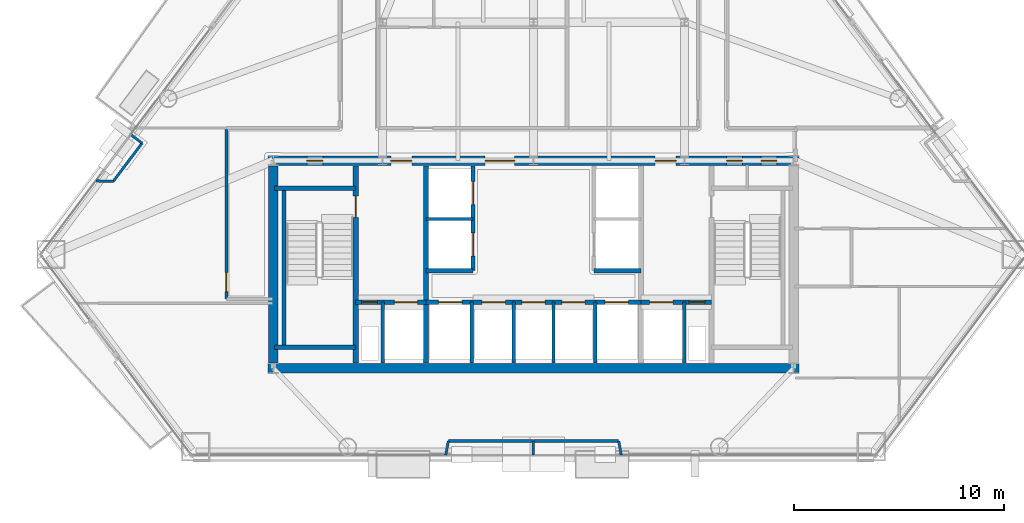
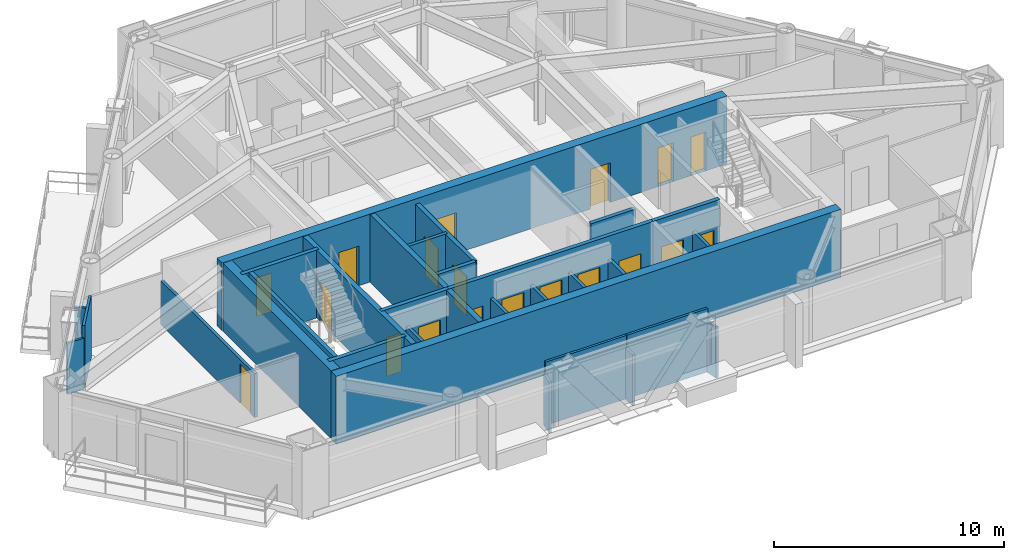
# One storey, part 6 of 10: 30 walls, 19 doors, 19 openings.
"""IFC4 building model written with IfcOpenShell, lengths in metres."""

from ifc_helpers import new_model, si_unit, direction, frame, frame_2d, origin, place, context, subcontext, project, spatial, rectangle, extrude, material, layer, layer_set, type_object, element, fill, save


model = new_model("IFC4")

# Units and contexts
model_context = context("Model", 3, precision=1e-05, world=origin(), true_north=direction((0.0, 1.0)))
body_context = subcontext(model_context, "Body", "Model", "MODEL_VIEW")
ifc_project = project(units=[si_unit("LENGTHUNIT", "METRE"), si_unit("AREAUNIT", "SQUARE_METRE"), si_unit("VOLUMEUNIT", "CUBIC_METRE"), si_unit("PLANEANGLEUNIT", "RADIAN"), si_unit("MASSUNIT", "GRAM", prefix="KILO")], contexts=[model_context])

# Site, building, storey
site_placement = place(None, origin())
site = spatial("IfcSite", under=ifc_project, at=site_placement, CompositionType="ELEMENT")
building_placement = place(site_placement, origin())
building = spatial("IfcBuilding", under=site, at=building_placement, Name="Talgorran Terracotta Tower", CompositionType="ELEMENT")
storey_placement = place(building_placement, frame((0.0, 0.0, 75.60009765625)))
storey = spatial("IfcBuildingStorey", under=building, at=storey_placement, Name="L19", CompositionType="ELEMENT", Elevation=75.60009765625)

# Walls
ifc_material_1 = material(Name="Concrete C50/60", Category="concrete")
ifc_layer_1 = layer(ifc_material_1, 0.199951171875, Name="WT_CORE_200")
ifc_layer_set_1 = layer_set([ifc_layer_1], Name="Concrete C50/60")
wall_type_1 = type_object("IfcWallType", Name="WT_CORE_200", PredefinedType="SOLIDWALL", material=ifc_layer_set_1)
for number, where, z_axis, x_axis, name in (
    (1, (-12.35009765625, -5.52001953125, 0.0), (0.0, 0.0, 1.0), (1.0, 0.0, 0.0), "WL-L19-CW-ST1-N"),
    (2, (-12.35009765625, -13.10009765625, 0.0), (0.0, 0.0, 1.0), (1.0, 0.0, 0.0), "WL-L19-CW-ST1-S"),
):
    element("IfcWall", number, at=place(storey_placement, frame(where, z_axis=z_axis, x_axis=x_axis)), inside=storey, type_object=wall_type_1, Name=name, PredefinedType="SOLIDWALL", context=body_context, shape_type="SweptSolid", body=[
        extrude(rectangle(XDim=3.8701171875, YDim=0.199951171875, at=frame_2d((1.93505859375, 0.0))), origin(), (0.0, 0.0, 1.0), 3.599853515625),
    ])
wall_1_placement = place(storey_placement, frame((-11.89990234375, -13.10009765625, 0.0), z_axis=(0.0, 0.0, 1.0), x_axis=(0.0, 1.0, 0.0)))
element("IfcWall", 3, at=wall_1_placement, inside=storey, type_object=wall_type_1, Name="WL-L19-CW-ST1-W", PredefinedType="SOLIDWALL", context=body_context, shape_type="SweptSolid", body=[
    extrude(rectangle(XDim=7.580078125, YDim=0.199951171875, at=frame_2d((3.7900390625, 0.0))), origin(), (0.0, 0.0, 1.0), 3.599853515625),
])

# Wall, openings, doors
wall_2_placement = place(storey_placement, frame((-8.47998046875, -10.949951171875, 0.0), z_axis=(0.0, 0.0, 1.0), x_axis=(1.0, 0.0, 0.0)))
wall_2 = element("IfcWall", 4, at=wall_2_placement, inside=storey, type_object=wall_type_1, Name="WL-L19-CW-H-SBW", PredefinedType="SOLIDWALL", context=body_context, shape_type="SweptSolid", body=[
    extrude(rectangle(XDim=3.35986328125, YDim=0.199951171875, at=frame_2d((1.679931640625, 0.0))), origin(), (0.0, 0.0, 1.0), 3.599853515625),
])
opening_1_placement = place(wall_2_placement, frame((0.280029296875, 0.0, 0.0)))
opening_1 = element("IfcOpeningElement", 5, at=opening_1_placement, cuts=wall_2, Name="Opening DR-RSW", PredefinedType="OPENING", context=body_context, shape_type="SweptSolid", body=[
    extrude(rectangle(XDim=0.756, YDim=2.054048828125, at=frame_2d((0.375, 1.027099609375))), frame((0.0, 0.10986328125, 0.0), z_axis=(0.0, -1.0, 0.0), x_axis=(1.0, 0.0, 0.0)), (0.0, 0.0, 1.0), 0.219970703125),
])
opening_2_placement = place(wall_2_placement, frame((1.85009765625, 0.0, 0.0)))
opening_2 = element("IfcOpeningElement", 6, at=opening_2_placement, cuts=wall_2, Name="Opening LD-FFL1", PredefinedType="OPENING", context=body_context, shape_type="SweptSolid", body=[
    extrude(rectangle(XDim=1.10609765625, YDim=2.10409765625, at=frame_2d((0.550048828125, 1.052001953125))), frame((0.0, 0.10986328125, 0.0), z_axis=(0.0, -1.0, 0.0), x_axis=(1.0, 0.0, 0.0)), (0.0, 0.0, 1.0), 0.219970703125),
])
ifc_material_2 = material(Name="Brushed Stainless Steel Grade 304", Category="steel")
door_type_1 = type_object("IfcDoorType", Name="DT_LIFT_LD1100", OperationType="DOUBLE_DOOR_SLIDING", PredefinedType="DOOR", material=ifc_material_2)
door_1_placement = place(opening_2_placement, origin())
door_1 = element("IfcDoor", 7, at=door_1_placement, inside=storey, type_object=door_type_1, Name="L19 Lift Landing Door LD-FFL1", OperationType="DOUBLE_DOOR_SLIDING", OverallHeight=2.10009765625, OverallWidth=1.10009765625, PredefinedType="DOOR", context=body_context, shape_type="SweptSolid", body=[
    extrude(rectangle(XDim=1.10009765625, YDim=2.10009765625, at=frame_2d((0.550048828125, 1.050048828125))), frame((0.0, 0.02490234375, 0.0), z_axis=(0.0, -1.0, 0.0), x_axis=(1.0, 0.0, 0.0)), (0.0, 0.0, 1.0), 0.050048828125),
])
fill(opening_2, door_1)
ifc_material_3 = material(Name="Fire-Rated Pressed Steel", Category="steel")
door_type_2 = type_object("IfcDoorType", Name="DT_RISER_750", OperationType="NOTDEFINED", PredefinedType="DOOR", material=ifc_material_3)
door_2_placement = place(opening_1_placement, origin())
door_2 = element("IfcDoor", 8, at=door_2_placement, inside=storey, type_object=door_type_2, Name="DR-RSW", OperationType="SINGLE_SWING_LEFT", OverallHeight=2.050048828125, OverallWidth=0.75, PredefinedType="DOOR", context=body_context, shape_type="SweptSolid", body=[
    extrude(rectangle(XDim=0.75, YDim=2.050048828125, at=frame_2d((0.375, 1.02490234375))), frame((0.0, 0.02490234375, 0.0), z_axis=(0.0, -1.0, 0.0), x_axis=(1.0, 0.0, 0.0)), (0.0, 0.0, 1.0), 0.050048828125),
])
fill(opening_1, door_2)

wall_3_placement = place(storey_placement, frame((-5.1201171875, -10.949951171875, 0.0), z_axis=(0.0, 0.0, 1.0), x_axis=(1.0, 0.0, 0.0)))
wall_3 = element("IfcWall", 9, at=wall_3_placement, inside=storey, type_object=wall_type_1, Name="WL-L19-CW-H-SBC", PredefinedType="SOLIDWALL", context=body_context, shape_type="SweptSolid", body=[
    extrude(rectangle(XDim=10.240234375, YDim=0.199951171875, at=frame_2d((5.1201171875, 0.0))), origin(), (0.0, 0.0, 1.0), 3.599853515625),
])
opening_3_placement = place(wall_3_placement, frame((0.60009765625, 0.0, 0.0)))
opening_3 = element("IfcOpeningElement", 10, at=opening_3_placement, cuts=wall_3, Name="Opening LD-OB1", PredefinedType="OPENING", context=body_context, shape_type="SweptSolid", body=[
    extrude(rectangle(XDim=1.10609765625, YDim=2.10409765625, at=frame_2d((0.550048828125, 1.052001953125))), frame((0.0, 0.10986328125, 0.0), z_axis=(0.0, -1.0, 0.0), x_axis=(1.0, 0.0, 0.0)), (0.0, 0.0, 1.0), 0.219970703125),
])
opening_4_placement = place(wall_3_placement, frame((2.669921875, 0.0, 0.0)))
opening_4 = element("IfcOpeningElement", 11, at=opening_4_placement, cuts=wall_3, Name="Opening LD-PLH1", PredefinedType="OPENING", context=body_context, shape_type="SweptSolid", body=[
    extrude(rectangle(XDim=1.10609765625, YDim=2.10409765625, at=frame_2d((0.550048828125, 1.052001953125))), frame((0.0, 0.10986328125, 0.0), z_axis=(0.0, -1.0, 0.0), x_axis=(1.0, 0.0, 0.0)), (0.0, 0.0, 1.0), 0.219970703125),
])
opening_5_placement = place(wall_3_placement, frame((4.570068359375, 0.0, 0.0)))
opening_5 = element("IfcOpeningElement", 12, at=opening_5_placement, cuts=wall_3, Name="Opening LD-PLH2", PredefinedType="OPENING", context=body_context, shape_type="SweptSolid", body=[
    extrude(rectangle(XDim=1.10609765625, YDim=2.10409765625, at=frame_2d((0.550048828125, 1.052001953125))), frame((0.0, 0.10986328125, 0.0), z_axis=(0.0, -1.0, 0.0), x_axis=(1.0, 0.0, 0.0)), (0.0, 0.0, 1.0), 0.219970703125),
])
opening_6_placement = place(wall_3_placement, frame((6.469970703125, 0.0, 0.0)))
opening_6 = element("IfcOpeningElement", 13, at=opening_6_placement, cuts=wall_3, Name="Opening LD-PLH3", PredefinedType="OPENING", context=body_context, shape_type="SweptSolid", body=[
    extrude(rectangle(XDim=1.10609765625, YDim=2.10409765625, at=frame_2d((0.550048828125, 1.052001953125))), frame((0.0, 0.10986328125, 0.0), z_axis=(0.0, -1.0, 0.0), x_axis=(1.0, 0.0, 0.0)), (0.0, 0.0, 1.0), 0.219970703125),
])
opening_7_placement = place(wall_3_placement, frame((8.5400390625, 0.0, 0.0)))
opening_7 = element("IfcOpeningElement", 14, at=opening_7_placement, cuts=wall_3, Name="Opening LD-SVL1", PredefinedType="OPENING", context=body_context, shape_type="SweptSolid", body=[
    extrude(rectangle(XDim=1.10609765625, YDim=2.10409765625, at=frame_2d((0.550048828125, 1.052001953125))), frame((0.0, 0.10986328125, 0.0), z_axis=(0.0, -1.0, 0.0), x_axis=(1.0, 0.0, 0.0)), (0.0, 0.0, 1.0), 0.219970703125),
])
door_3_placement = place(opening_3_placement, origin())
door_3 = element("IfcDoor", 15, at=door_3_placement, inside=storey, type_object=door_type_1, Name="L19 Lift Landing Door LD-OB1", OperationType="DOUBLE_DOOR_SLIDING", OverallHeight=2.10009765625, OverallWidth=1.10009765625, PredefinedType="DOOR", context=body_context, shape_type="SweptSolid", body=[
    extrude(rectangle(XDim=1.10009765625, YDim=2.10009765625, at=frame_2d((0.550048828125, 1.050048828125))), frame((0.0, 0.02490234375, 0.0), z_axis=(0.0, -1.0, 0.0), x_axis=(1.0, 0.0, 0.0)), (0.0, 0.0, 1.0), 0.050048828125),
])
fill(opening_3, door_3)
door_4_placement = place(opening_4_placement, origin())
door_4 = element("IfcDoor", 16, at=door_4_placement, inside=storey, type_object=door_type_1, Name="L19 Lift Landing Door LD-PLH1", OperationType="DOUBLE_DOOR_SLIDING", OverallHeight=2.10009765625, OverallWidth=1.10009765625, PredefinedType="DOOR", context=body_context, shape_type="SweptSolid", body=[
    extrude(rectangle(XDim=1.10009765625, YDim=2.10009765625, at=frame_2d((0.550048828125, 1.050048828125))), frame((0.0, 0.02490234375, 0.0), z_axis=(0.0, -1.0, 0.0), x_axis=(1.0, 0.0, 0.0)), (0.0, 0.0, 1.0), 0.050048828125),
])
fill(opening_4, door_4)
door_5_placement = place(opening_5_placement, origin())
door_5 = element("IfcDoor", 17, at=door_5_placement, inside=storey, type_object=door_type_1, Name="L19 Lift Landing Door LD-PLH2", OperationType="DOUBLE_DOOR_SLIDING", OverallHeight=2.10009765625, OverallWidth=1.10009765625, PredefinedType="DOOR", context=body_context, shape_type="SweptSolid", body=[
    extrude(rectangle(XDim=1.10009765625, YDim=2.10009765625, at=frame_2d((0.550048828125, 1.050048828125))), frame((0.0, 0.02490234375, 0.0), z_axis=(0.0, -1.0, 0.0), x_axis=(1.0, 0.0, 0.0)), (0.0, 0.0, 1.0), 0.050048828125),
])
fill(opening_5, door_5)
door_6_placement = place(opening_6_placement, origin())
door_6 = element("IfcDoor", 18, at=door_6_placement, inside=storey, type_object=door_type_1, Name="L19 Lift Landing Door LD-PLH3", OperationType="DOUBLE_DOOR_SLIDING", OverallHeight=2.10009765625, OverallWidth=1.10009765625, PredefinedType="DOOR", context=body_context, shape_type="SweptSolid", body=[
    extrude(rectangle(XDim=1.10009765625, YDim=2.10009765625, at=frame_2d((0.550048828125, 1.050048828125))), frame((0.0, 0.02490234375, 0.0), z_axis=(0.0, -1.0, 0.0), x_axis=(1.0, 0.0, 0.0)), (0.0, 0.0, 1.0), 0.050048828125),
])
fill(opening_6, door_6)
door_7_placement = place(opening_7_placement, origin())
door_7 = element("IfcDoor", 19, at=door_7_placement, inside=storey, type_object=door_type_1, Name="L19 Lift Landing Door LD-SVL1", OperationType="DOUBLE_DOOR_SLIDING", OverallHeight=2.10009765625, OverallWidth=1.10009765625, PredefinedType="DOOR", context=body_context, shape_type="SweptSolid", body=[
    extrude(rectangle(XDim=1.10009765625, YDim=2.10009765625, at=frame_2d((0.550048828125, 1.050048828125))), frame((0.0, 0.02490234375, 0.0), z_axis=(0.0, -1.0, 0.0), x_axis=(1.0, 0.0, 0.0)), (0.0, 0.0, 1.0), 0.050048828125),
])
fill(opening_7, door_7)

wall_4_placement = place(storey_placement, frame((5.1201171875, -10.949951171875, 0.0), z_axis=(0.0, 0.0, 1.0), x_axis=(1.0, 0.0, 0.0)))
wall_4 = element("IfcWall", 20, at=wall_4_placement, inside=storey, type_object=wall_type_1, Name="WL-L19-CW-H-SBE", PredefinedType="SOLIDWALL", context=body_context, shape_type="SweptSolid", body=[
    extrude(rectangle(XDim=3.35986328125, YDim=0.199951171875, at=frame_2d((1.679931640625, 0.0))), origin(), (0.0, 0.0, 1.0), 3.599853515625),
])
opening_8_placement = place(wall_4_placement, frame((0.419921875, 0.0, 0.0)))
opening_8 = element("IfcOpeningElement", 21, at=opening_8_placement, cuts=wall_4, Name="Opening LD-FFL2", PredefinedType="OPENING", context=body_context, shape_type="SweptSolid", body=[
    extrude(rectangle(XDim=1.10609765625, YDim=2.10409765625, at=frame_2d((0.550048828125, 1.052001953125))), frame((0.0, 0.10986328125, 0.0), z_axis=(0.0, -1.0, 0.0), x_axis=(1.0, 0.0, 0.0)), (0.0, 0.0, 1.0), 0.219970703125),
])
opening_9_placement = place(wall_4_placement, frame((2.300048828125, 0.0, 0.0)))
opening_9 = element("IfcOpeningElement", 22, at=opening_9_placement, cuts=wall_4, Name="Opening DR-RSE", PredefinedType="OPENING", context=body_context, shape_type="SweptSolid", body=[
    extrude(rectangle(XDim=0.756, YDim=2.054048828125, at=frame_2d((0.375, 1.027099609375))), frame((0.0, 0.10986328125, 0.0), z_axis=(0.0, -1.0, 0.0), x_axis=(1.0, 0.0, 0.0)), (0.0, 0.0, 1.0), 0.219970703125),
])
door_8_placement = place(opening_8_placement, origin())
door_8 = element("IfcDoor", 23, at=door_8_placement, inside=storey, type_object=door_type_1, Name="L19 Lift Landing Door LD-FFL2", OperationType="DOUBLE_DOOR_SLIDING", OverallHeight=2.10009765625, OverallWidth=1.10009765625, PredefinedType="DOOR", context=body_context, shape_type="SweptSolid", body=[
    extrude(rectangle(XDim=1.10009765625, YDim=2.10009765625, at=frame_2d((0.550048828125, 1.050048828125))), frame((0.0, 0.02490234375, 0.0), z_axis=(0.0, -1.0, 0.0), x_axis=(1.0, 0.0, 0.0)), (0.0, 0.0, 1.0), 0.050048828125),
])
fill(opening_8, door_8)
door_9_placement = place(opening_9_placement, origin())
door_9 = element("IfcDoor", 24, at=door_9_placement, inside=storey, type_object=door_type_2, Name="DR-RSE", OperationType="SINGLE_SWING_RIGHT", OverallHeight=2.050048828125, OverallWidth=0.75, PredefinedType="DOOR", context=body_context, shape_type="SweptSolid", body=[
    extrude(rectangle(XDim=0.75, YDim=2.050048828125, at=frame_2d((0.375, 1.02490234375))), frame((0.0, 0.02490234375, 0.0), z_axis=(0.0, -1.0, 0.0), x_axis=(1.0, 0.0, 0.0)), (0.0, 0.0, 1.0), 0.050048828125),
])
fill(opening_9, door_9)

wall_5_placement = place(storey_placement, frame((-2.8798828125, -9.449951171875, 0.0), z_axis=(0.0, 0.0, 1.0), x_axis=(0.0, 1.0, 0.0)))
wall_5 = element("IfcWall", 25, at=wall_5_placement, inside=storey, type_object=wall_type_1, Name="WL-L19-CW-V-W3", PredefinedType="SOLIDWALL", context=body_context, shape_type="SweptSolid", body=[
    extrude(rectangle(XDim=5.0, YDim=0.199951171875, at=frame_2d((2.5, 0.0))), origin(), (0.0, 0.0, 1.0), 3.349853515625),
])
opening_10_placement = place(wall_5_placement, frame((0.699951171875, 0.0, 0.0)))
opening_10 = element("IfcOpeningElement", 26, at=opening_10_placement, cuts=wall_5, Name="Opening LD-PLL1", PredefinedType="OPENING", context=body_context, shape_type="SweptSolid", body=[
    extrude(rectangle(XDim=1.10609765625, YDim=2.10409765625, at=frame_2d((0.550048828125, 1.052001953125))), frame((0.0, 0.10986328125, 0.0), z_axis=(0.0, -1.0, 0.0), x_axis=(1.0, 0.0, 0.0)), (0.0, 0.0, 1.0), 0.219970703125),
])
opening_11_placement = place(wall_5_placement, frame((3.14990234375, 0.0, 0.0)))
opening_11 = element("IfcOpeningElement", 27, at=opening_11_placement, cuts=wall_5, Name="Opening LD-PLL2", PredefinedType="OPENING", context=body_context, shape_type="SweptSolid", body=[
    extrude(rectangle(XDim=1.10609765625, YDim=2.10409765625, at=frame_2d((0.550048828125, 1.052001953125))), frame((0.0, 0.10986328125, 0.0), z_axis=(0.0, -1.0, 0.0), x_axis=(1.0, 0.0, 0.0)), (0.0, 0.0, 1.0), 0.219970703125),
])
door_10_placement = place(opening_10_placement, origin())
door_10 = element("IfcDoor", 28, at=door_10_placement, inside=storey, type_object=door_type_1, Name="L19 Lift Landing Door LD-PLL1", OperationType="DOUBLE_DOOR_SLIDING", OverallHeight=2.10009765625, OverallWidth=1.10009765625, PredefinedType="DOOR", context=body_context, shape_type="SweptSolid", body=[
    extrude(rectangle(XDim=1.10009765625, YDim=2.10009765625, at=frame_2d((0.550048828125, 1.050048828125))), frame((0.0, 0.02490234375, 0.0), z_axis=(0.0, -1.0, 0.0), x_axis=(1.0, 0.0, 0.0)), (0.0, 0.0, 1.0), 0.050048828125),
])
fill(opening_10, door_10)
door_11_placement = place(opening_11_placement, origin())
door_11 = element("IfcDoor", 29, at=door_11_placement, inside=storey, type_object=door_type_1, Name="L19 Lift Landing Door LD-PLL2", OperationType="DOUBLE_DOOR_SLIDING", OverallHeight=2.10009765625, OverallWidth=1.10009765625, PredefinedType="DOOR", context=body_context, shape_type="SweptSolid", body=[
    extrude(rectangle(XDim=1.10009765625, YDim=2.10009765625, at=frame_2d((0.550048828125, 1.050048828125))), frame((0.0, 0.02490234375, 0.0), z_axis=(0.0, -1.0, 0.0), x_axis=(1.0, 0.0, 0.0)), (0.0, 0.0, 1.0), 0.050048828125),
])
fill(opening_11, door_11)

# Walls
for number, where, z_axis, x_axis, name in (
    (30, (-5.1201171875, -9.449951171875, 0.0), (0.0, 0.0, 1.0), (1.0, 0.0, 0.0), "WL-L19-CW-H-W4"),
    (31, (2.8798828125, -9.449951171875, 0.0), (0.0, 0.0, 1.0), (1.0, 0.0, 0.0), "WL-L19-CW-H-E4"),
):
    element("IfcWall", number, at=place(storey_placement, frame(where, z_axis=z_axis, x_axis=x_axis)), inside=storey, type_object=wall_type_1, Name=name, PredefinedType="SOLIDWALL", context=body_context, shape_type="SweptSolid", body=[
        extrude(rectangle(XDim=2.240234375, YDim=0.199951171875, at=frame_2d((1.1201171875, 0.0))), origin(), (0.0, 0.0, 1.0), 3.349853515625),
    ])

# Wall, opening, door
ifc_layer_2 = layer(ifc_material_1, 0.25, Name="WT_CORE_250")
ifc_layer_set_2 = layer_set([ifc_layer_2], Name="Concrete C50/60")
wall_type_2 = type_object("IfcWallType", Name="WT_CORE_250", PredefinedType="SHEAR", material=ifc_layer_set_2)
wall_6_placement = place(storey_placement, frame((-8.47998046875, -13.85009765625, 0.0), z_axis=(0.0, 0.0, 1.0), x_axis=(0.0, 1.0, 0.0)))
wall_6 = element("IfcWall", 32, at=wall_6_placement, inside=storey, type_object=wall_type_2, Name="WL-L19-CW-V-W1", PredefinedType="SHEAR", context=body_context, shape_type="SweptSolid", body=[
    extrude(rectangle(XDim=9.400146484375, YDim=0.25, at=frame_2d((4.7001953125, 0.0))), origin(), (0.0, 0.0, 1.0), 3.599853515625),
])
opening_12_placement = place(wall_6_placement, frame((6.949951171875, 0.0, 0.0)))
opening_12 = element("IfcOpeningElement", 33, at=opening_12_placement, cuts=wall_6, Name="Opening DR-ST01", PredefinedType="OPENING", context=body_context, shape_type="SweptSolid", body=[
    extrude(rectangle(XDim=1.006, YDim=2.10409765625, at=frame_2d((0.5, 1.052001953125))), frame((0.0, 0.135009765625, 0.0), z_axis=(0.0, -1.0, 0.0), x_axis=(1.0, 0.0, 0.0)), (0.0, 0.0, 1.0), 0.27001953125),
])
door_type_3 = type_object("IfcDoorType", Name="DT_FIRE_1000", OperationType="NOTDEFINED", PredefinedType="DOOR", material=ifc_material_3)
door_12_placement = place(opening_12_placement, origin())
door_12 = element("IfcDoor", 34, at=door_12_placement, inside=storey, type_object=door_type_3, Name="DR-ST01", OperationType="SINGLE_SWING_LEFT", OverallHeight=2.10009765625, OverallWidth=1.0, PredefinedType="DOOR", context=body_context, shape_type="SweptSolid", body=[
    extrude(rectangle(XDim=1.0, YDim=2.10009765625, at=frame_2d((0.5, 1.050048828125))), frame((0.0, 0.02490234375, 0.0), z_axis=(0.0, -1.0, 0.0), x_axis=(1.0, 0.0, 0.0)), (0.0, 0.0, 1.0), 0.050048828125),
])
fill(opening_12, door_12)

# Walls
wall_7_placement = place(storey_placement, frame((-5.1201171875, -13.85009765625, 0.0), z_axis=(0.0, 0.0, 1.0), x_axis=(0.0, 1.0, 0.0)))
element("IfcWall", 35, at=wall_7_placement, inside=storey, type_object=wall_type_2, Name="WL-L19-CW-V-W2", PredefinedType="SHEAR", context=body_context, shape_type="SweptSolid", body=[
    extrude(rectangle(XDim=9.400146484375, YDim=0.25, at=frame_2d((4.7001953125, 0.0))), origin(), (0.0, 0.0, 1.0), 3.599853515625),
])
ifc_material_4 = material(Name="Concrete C65/80", Category="concrete")
ifc_layer_3 = layer(ifc_material_4, 0.449951171875, Name="WT_CORE_EXT")
ifc_layer_set_3 = layer_set([ifc_layer_3], Name="Concrete C65/80")
wall_type_3 = type_object("IfcWallType", Name="WT_CORE_EXT", PredefinedType="SHEAR", material=ifc_layer_set_3)
wall_8_placement = place(storey_placement, frame((-12.64990234375, -14.10009765625, 0.0), z_axis=(0.0, 0.0, 1.0), x_axis=(1.0, 0.0, 0.0)))
element("IfcWall", 36, at=wall_8_placement, inside=storey, type_object=wall_type_3, Name="WL-L19-CW-OUT-S", PredefinedType="SHEAR", context=body_context, shape_type="SweptSolid", body=[
    extrude(rectangle(XDim=25.2998046875, YDim=0.449951171875, at=frame_2d((12.64990234375, 0.0))), origin(), (0.0, 0.0, 1.0), 3.599853515625),
])

# Wall, openings, doors
wall_9_placement = place(storey_placement, frame((-12.64990234375, -4.199951171875, 0.0), z_axis=(0.0, 0.0, 1.0), x_axis=(1.0, 0.0, 0.0)))
wall_9 = element("IfcWall", 37, at=wall_9_placement, inside=storey, type_object=wall_type_3, Name="WL-L19-CW-OUT-N", PredefinedType="SHEAR", context=body_context, shape_type="SweptSolid", body=[
    extrude(rectangle(XDim=25.2998046875, YDim=0.449951171875, at=frame_2d((12.64990234375, 0.0))), origin(), (0.0, 0.0, 1.0), 3.599853515625),
])
opening_13_placement = place(wall_9_placement, frame((1.85009765625, 0.0, 0.0)))
opening_13 = element("IfcOpeningElement", 38, at=opening_13_placement, cuts=wall_9, Name="Opening DR-CSN1", PredefinedType="OPENING", context=body_context, shape_type="SweptSolid", body=[
    extrude(rectangle(XDim=0.756, YDim=2.054048828125, at=frame_2d((0.375, 1.027099609375))), frame((0.0, 0.23486328125, 0.0), z_axis=(0.0, -1.0, 0.0), x_axis=(1.0, 0.0, 0.0)), (0.0, 0.0, 1.0), 0.469970703125),
])
opening_14_placement = place(wall_9_placement, frame((21.85009765625, 0.0, 0.0)))
opening_14 = element("IfcOpeningElement", 39, at=opening_14_placement, cuts=wall_9, Name="Opening DR-CSN2", PredefinedType="OPENING", context=body_context, shape_type="SweptSolid", body=[
    extrude(rectangle(XDim=0.756, YDim=2.054048828125, at=frame_2d((0.375, 1.027099609375))), frame((0.0, 0.23486328125, 0.0), z_axis=(0.0, -1.0, 0.0), x_axis=(1.0, 0.0, 0.0)), (0.0, 0.0, 1.0), 0.469970703125),
])
opening_15_placement = place(wall_9_placement, frame((23.5, 0.0, 0.0)))
opening_15 = element("IfcOpeningElement", 40, at=opening_15_placement, cuts=wall_9, Name="Opening DR-CSN3", PredefinedType="OPENING", context=body_context, shape_type="SweptSolid", body=[
    extrude(rectangle(XDim=0.756, YDim=2.054048828125, at=frame_2d((0.375, 1.027099609375))), frame((0.0, 0.23486328125, 0.0), z_axis=(0.0, -1.0, 0.0), x_axis=(1.0, 0.0, 0.0)), (0.0, 0.0, 1.0), 0.469970703125),
])
opening_16_placement = place(wall_9_placement, frame((5.85009765625, 0.0, 0.0)))
opening_16 = element("IfcOpeningElement", 41, at=opening_16_placement, cuts=wall_9, Name="Opening DR-FFLW-N", PredefinedType="OPENING", context=body_context, shape_type="SweptSolid", body=[
    extrude(rectangle(XDim=1.006, YDim=2.10409765625, at=frame_2d((0.5, 1.052001953125))), frame((0.0, 0.23486328125, 0.0), z_axis=(0.0, -1.0, 0.0), x_axis=(1.0, 0.0, 0.0)), (0.0, 0.0, 1.0), 0.469970703125),
])
opening_17_placement = place(wall_9_placement, frame((10.35009765625, 0.0, 0.0)))
opening_17 = element("IfcOpeningElement", 42, at=opening_17_placement, cuts=wall_9, Name="Opening DR-PLL-N", PredefinedType="OPENING", context=body_context, shape_type="SweptSolid", body=[
    extrude(rectangle(XDim=1.40590234375, YDim=2.15390234375, at=frame_2d((0.699951171875, 1.076904296875))), frame((0.0, 0.23486328125, 0.0), z_axis=(0.0, -1.0, 0.0), x_axis=(1.0, 0.0, 0.0)), (0.0, 0.0, 1.0), 0.469970703125),
])
opening_18_placement = place(wall_9_placement, frame((18.449951171875, 0.0, 0.0)))
opening_18 = element("IfcOpeningElement", 43, at=opening_18_placement, cuts=wall_9, Name="Opening DR-FFLE-N", PredefinedType="OPENING", context=body_context, shape_type="SweptSolid", body=[
    extrude(rectangle(XDim=1.006, YDim=2.10409765625, at=frame_2d((0.5, 1.052001953125))), frame((0.0, 0.23486328125, 0.0), z_axis=(0.0, -1.0, 0.0), x_axis=(1.0, 0.0, 0.0)), (0.0, 0.0, 1.0), 0.469970703125),
])
ifc_material_5 = material(Name="Acoustic Glazed Timber", Category="wood")
door_type_4 = type_object("IfcDoorType", Name="DT_DOUBLE_1400", OperationType="DOUBLE_DOOR_SINGLE_SWING", PredefinedType="DOOR", material=ifc_material_5)
door_13_placement = place(opening_17_placement, origin())
door_13 = element("IfcDoor", 44, at=door_13_placement, inside=storey, type_object=door_type_4, Name="DR-PLL-N", OperationType="DOUBLE_DOOR_SINGLE_SWING", OverallHeight=2.14990234375, OverallWidth=1.39990234375, PredefinedType="DOOR", context=body_context, shape_type="SweptSolid", body=[
    extrude(rectangle(XDim=1.39990234375, YDim=2.14990234375, at=frame_2d((0.699951171875, 1.074951171875))), frame((0.0, 0.02490234375, 0.0), z_axis=(0.0, -1.0, 0.0), x_axis=(1.0, 0.0, 0.0)), (0.0, 0.0, 1.0), 0.050048828125),
])
fill(opening_17, door_13)
door_14_placement = place(opening_16_placement, origin())
door_14 = element("IfcDoor", 45, at=door_14_placement, inside=storey, type_object=door_type_3, Name="DR-FFLW-N", OperationType="SINGLE_SWING_LEFT", OverallHeight=2.10009765625, OverallWidth=1.0, PredefinedType="DOOR", context=body_context, shape_type="SweptSolid", body=[
    extrude(rectangle(XDim=1.0, YDim=2.10009765625, at=frame_2d((0.5, 1.050048828125))), frame((0.0, 0.02490234375, 0.0), z_axis=(0.0, -1.0, 0.0), x_axis=(1.0, 0.0, 0.0)), (0.0, 0.0, 1.0), 0.050048828125),
])
fill(opening_16, door_14)
door_15_placement = place(opening_18_placement, origin())
door_15 = element("IfcDoor", 46, at=door_15_placement, inside=storey, type_object=door_type_3, Name="DR-FFLE-N", OperationType="SINGLE_SWING_RIGHT", OverallHeight=2.10009765625, OverallWidth=1.0, PredefinedType="DOOR", context=body_context, shape_type="SweptSolid", body=[
    extrude(rectangle(XDim=1.0, YDim=2.10009765625, at=frame_2d((0.5, 1.050048828125))), frame((0.0, 0.02490234375, 0.0), z_axis=(0.0, -1.0, 0.0), x_axis=(1.0, 0.0, 0.0)), (0.0, 0.0, 1.0), 0.050048828125),
])
fill(opening_18, door_15)
door_16_placement = place(opening_13_placement, origin())
door_16 = element("IfcDoor", 47, at=door_16_placement, inside=storey, type_object=door_type_2, Name="DR-CSN1", OperationType="SINGLE_SWING_LEFT", OverallHeight=2.050048828125, OverallWidth=0.75, PredefinedType="DOOR", context=body_context, shape_type="SweptSolid", body=[
    extrude(rectangle(XDim=0.75, YDim=2.050048828125, at=frame_2d((0.375, 1.02490234375))), frame((0.0, 0.02490234375, 0.0), z_axis=(0.0, -1.0, 0.0), x_axis=(1.0, 0.0, 0.0)), (0.0, 0.0, 1.0), 0.050048828125),
])
fill(opening_13, door_16)
door_17_placement = place(opening_14_placement, origin())
door_17 = element("IfcDoor", 48, at=door_17_placement, inside=storey, type_object=door_type_2, Name="DR-CSN2", OperationType="SINGLE_SWING_LEFT", OverallHeight=2.050048828125, OverallWidth=0.75, PredefinedType="DOOR", context=body_context, shape_type="SweptSolid", body=[
    extrude(rectangle(XDim=0.75, YDim=2.050048828125, at=frame_2d((0.375, 1.02490234375))), frame((0.0, 0.02490234375, 0.0), z_axis=(0.0, -1.0, 0.0), x_axis=(1.0, 0.0, 0.0)), (0.0, 0.0, 1.0), 0.050048828125),
])
fill(opening_14, door_17)
door_18_placement = place(opening_15_placement, origin())
door_18 = element("IfcDoor", 49, at=door_18_placement, inside=storey, type_object=door_type_2, Name="DR-CSN3", OperationType="SINGLE_SWING_RIGHT", OverallHeight=2.050048828125, OverallWidth=0.75, PredefinedType="DOOR", context=body_context, shape_type="SweptSolid", body=[
    extrude(rectangle(XDim=0.75, YDim=2.050048828125, at=frame_2d((0.375, 1.02490234375))), frame((0.0, 0.02490234375, 0.0), z_axis=(0.0, -1.0, 0.0), x_axis=(1.0, 0.0, 0.0)), (0.0, 0.0, 1.0), 0.050048828125),
])
fill(opening_15, door_18)

# Wall
wall_10_placement = place(storey_placement, frame((-12.39990234375, -13.85009765625, 0.0), z_axis=(0.0, 0.0, 1.0), x_axis=(0.0, 1.0, 0.0)))
element("IfcWall", 50, at=wall_10_placement, inside=storey, type_object=wall_type_3, Name="WL-L19-CW-OUT-W", PredefinedType="SHEAR", context=body_context, shape_type="SweptSolid", body=[
    extrude(rectangle(XDim=9.400146484375, YDim=0.449951171875, at=frame_2d((4.7001953125, 0.0))), origin(), (0.0, 0.0, 1.0), 3.599853515625),
])

# Wall, opening, door
ifc_material_6 = material(Name="Fire-Rated Steel Stud Plasterboard", Category="steel")
ifc_layer_4 = layer(ifc_material_6, 0.14990234375, Name="WT_FIRE_150")
ifc_layer_set_4 = layer_set([ifc_layer_4], Name="Fire-Rated Steel Stud Plasterboard")
wall_type_4 = type_object("IfcWallType", Name="WT_FIRE_150", PredefinedType="PARTITIONING", material=ifc_layer_set_4)
wall_11_placement = place(storey_placement, frame((-14.639892578125, -10.800048828125, 0.0), z_axis=(0.0, 0.0, 1.0), x_axis=(0.0, 1.0, 0.0)))
wall_11 = element("IfcWall", 51, at=wall_11_placement, inside=storey, type_object=wall_type_4, Name="WL-L19-W-L19-R01", PredefinedType="PARTITIONING", context=body_context, shape_type="SweptSolid", body=[
    extrude(rectangle(XDim=8.16015625, YDim=0.14990234375, at=frame_2d((4.080078125, 0.0))), origin(), (0.0, 0.0, 1.0), 2.324951171875),
])
opening_19_placement = place(wall_11_placement, frame((0.359375, 0.0, 0.0)))
opening_19 = element("IfcOpeningElement", 52, at=opening_19_placement, cuts=wall_11, Name="Opening DR-L19-R01", PredefinedType="OPENING", context=body_context, shape_type="SweptSolid", body=[
    extrude(rectangle(XDim=0.90590234375, YDim=2.10409765625, at=frame_2d((0.449951171875, 1.052001953125))), frame((0.0, 0.0849609375, 0.0), z_axis=(0.0, -1.0, 0.0), x_axis=(1.0, 0.0, 0.0)), (0.0, 0.0, 1.0), 0.169921875),
])
ifc_material_7 = material(Name="Fire-Rated Timber Core", Category="wood")
door_type_5 = type_object("IfcDoorType", Name="DT_FIRE_900", OperationType="NOTDEFINED", PredefinedType="DOOR", material=ifc_material_7)
door_19_placement = place(opening_19_placement, origin())
door_19 = element("IfcDoor", 53, at=door_19_placement, inside=storey, type_object=door_type_5, Name="DR-L19-R01", OperationType="SINGLE_SWING_LEFT", OverallHeight=2.10009765625, OverallWidth=0.89990234375, PredefinedType="DOOR", context=body_context, shape_type="SweptSolid", body=[
    extrude(rectangle(XDim=0.89990234375, YDim=2.10009765625, at=frame_2d((0.449951171875, 1.050048828125))), frame((0.0, 0.02490234375, 0.0), z_axis=(0.0, -1.0, 0.0), x_axis=(1.0, 0.0, 0.0)), (0.0, 0.0, 1.0), 0.050048828125),
])
fill(opening_19, door_19)

# Walls
ifc_material_8 = material(Name="Insulated Steel Stud Plasterboard", Category="steel")
ifc_layer_5 = layer(ifc_material_8, 0.1201171875, Name="WT_PART_120")
ifc_layer_set_5 = layer_set([ifc_layer_5], Name="Insulated Steel Stud Plasterboard")
wall_type_5 = type_object("IfcWallType", Name="WT_PART_120", PredefinedType="PARTITIONING", material=ifc_layer_set_5)
for number, where, z_axis, x_axis, name in (
    (54, (-4.059326171875, -17.566650390625, 0.0), (0.0, 0.0, 1.0), (1.0, 0.0, 0.0), "WL-L19-BW-L19-01"),
    (55, (0.01123046875, -17.566650390625, 0.0), (0.0, 0.0, 1.0), (1.0, 0.0, 0.0), "WL-L19-BW-L19-06"),
):
    element("IfcWall", number, at=place(storey_placement, frame(where, z_axis=z_axis, x_axis=x_axis)), inside=storey, type_object=wall_type_5, Name=name, PredefinedType="PARTITIONING", context=body_context, shape_type="SweptSolid", body=[
        extrude(rectangle(XDim=4.048095703125, YDim=0.1201171875, at=frame_2d((2.02392578125, 0.0))), origin(), (0.0, 0.0, 1.0), 3.349853515625),
    ])
wall_12_placement = place(storey_placement, frame((-18.66162109375, -3.36572265625, 0.0), z_axis=(0.0, 0.0, 1.0), x_axis=(-0.601301632327, -0.799022119194, 0.0)))
element("IfcWall", 56, at=wall_12_placement, inside=storey, type_object=wall_type_5, Name="WL-L19-BW-L19-08", PredefinedType="PARTITIONING", context=body_context, shape_type="SweptSolid", body=[
    extrude(rectangle(XDim=2.279296875, YDim=0.1201171875, at=frame_2d((1.1396484375, 0.0))), origin(), (0.0, 0.0, 1.0), 3.349853515625),
])
wall_13_placement = place(storey_placement, frame((-20.0322265625, -5.18701171875, 0.0), z_axis=(0.0, 0.0, 1.0), x_axis=(-0.999739997708, 0.022802126725, 0.0)))
element("IfcWall", 57, at=wall_13_placement, inside=storey, type_object=wall_type_5, Name="WL-L19-BW-L19-09", PredefinedType="PARTITIONING", context=body_context, shape_type="SweptSolid", body=[
    extrude(rectangle(XDim=0.824462890625, YDim=0.1201171875, at=frame_2d((0.412109375, 0.0))), origin(), (0.0, 0.0, 1.0), 2.71337890625),
])
for number, where, z_axis, x_axis, name in (
    (58, (-4.181396484375, -18.23681640625, 0.0), (0.0, 0.0, 1.0), (0.179200822456, 0.983812515285, 0.0), "WL-L19-BW-L19-03"),
    (59, (4.059326171875, -17.566650390625, 0.0), (0.0, 0.0, 1.0), (0.179200822456, -0.983812515285, 0.0), "WL-L19-BW-L19-04"),
):
    element("IfcWall", number, at=place(storey_placement, frame(where, z_axis=z_axis, x_axis=x_axis)), inside=storey, type_object=wall_type_5, Name=name, PredefinedType="PARTITIONING", context=body_context, shape_type="SweptSolid", body=[
        extrude(rectangle(XDim=0.68115234375, YDim=0.1201171875, at=frame_2d((0.340576171875, 0.0))), origin(), (0.0, 0.0, 1.0), 2.71337890625),
    ])
wall_14_placement = place(storey_placement, frame((-19.197021484375, -2.962890625, 0.0), z_axis=(0.0, 0.0, 1.0), x_axis=(0.799080830747, -0.601223607265, 0.0)))
element("IfcWall", 60, at=wall_14_placement, inside=storey, type_object=wall_type_5, Name="WL-L19-BW-L19-07", PredefinedType="PARTITIONING", context=body_context, shape_type="SweptSolid", body=[
    extrude(rectangle(XDim=0.669921875, YDim=0.1201171875, at=frame_2d((0.3349609375, 0.0))), origin(), (0.0, 0.0, 1.0), 2.71337890625),
])
wall_15_placement = place(storey_placement, frame((-0.01123046875, -17.566650390625, 0.0), z_axis=(0.0, 0.0, 1.0), x_axis=(0.0, -1.0, 0.0)))
element("IfcWall", 61, at=wall_15_placement, inside=storey, type_object=wall_type_5, Name="WL-L19-BW-L19-02", PredefinedType="PARTITIONING", context=body_context, shape_type="SweptSolid", body=[
    extrude(rectangle(XDim=0.670166015625, YDim=0.1201171875, at=frame_2d((0.3349609375, 0.0))), origin(), (0.0, 0.0, 1.0), 2.71337890625),
])
ifc_material_9 = material(Name="Fire-Rated Shaftwall")
ifc_layer_6 = layer(ifc_material_9, 0.159912109375, Name="WT_PART_150")
ifc_layer_set_6 = layer_set([ifc_layer_6], Name="Fire-Rated Shaftwall")
wall_type_6 = type_object("IfcWallType", Name="WT_PART_150", PredefinedType="PARTITIONING", material=ifc_layer_set_6)
wall_16_placement = place(storey_placement, frame((-5.1201171875, -6.97998046875, 0.0), z_axis=(0.0, 0.0, 1.0), x_axis=(1.0, 0.0, 0.0)))
element("IfcWall", 62, at=wall_16_placement, inside=storey, type_object=wall_type_6, Name="WL-L19-CW-PLL-DIV", PredefinedType="PARTITIONING", context=body_context, shape_type="SweptSolid", body=[
    extrude(rectangle(XDim=2.240234375, YDim=0.159912109375, at=frame_2d((1.1201171875, 0.0))), origin(), (0.0, 0.0, 1.0), 3.349853515625),
])
for number, where, z_axis, x_axis, name in (
    (63, (-7.179931640625, -13.85009765625, 0.0), (0.0, 0.0, 1.0), (0.0, 1.0, 0.0), "WL-L19-CW-RSW"),
    (64, (7.179931640625, -13.85009765625, 0.0), (0.0, 0.0, 1.0), (0.0, 1.0, 0.0), "WL-L19-CW-RSE"),
    (65, (-2.949951171875, -13.85009765625, 0.0), (0.0, 0.0, 1.0), (0.0, 1.0, 0.0), "WL-L19-CW-OB-E"),
    (66, (2.949951171875, -13.85009765625, 0.0), (0.0, 0.0, 1.0), (0.0, 1.0, 0.0), "WL-L19-CW-SV-W"),
    (67, (-0.949951171875, -13.85009765625, 0.0), (0.0, 0.0, 1.0), (0.0, 1.0, 0.0), "WL-L19-CW-PLH-D1"),
    (68, (0.949951171875, -13.85009765625, 0.0), (0.0, 0.0, 1.0), (0.0, 1.0, 0.0), "WL-L19-CW-PLH-D2"),
):
    element("IfcWall", number, at=place(storey_placement, frame(where, z_axis=z_axis, x_axis=x_axis)), inside=storey, type_object=wall_type_6, Name=name, PredefinedType="PARTITIONING", context=body_context, shape_type="SweptSolid", body=[
        extrude(rectangle(XDim=2.900146484375, YDim=0.159912109375, at=frame_2d((1.4501953125, 0.0))), origin(), (0.0, 0.0, 1.0), 2.375),
    ])

save(model, "model.ifc")
